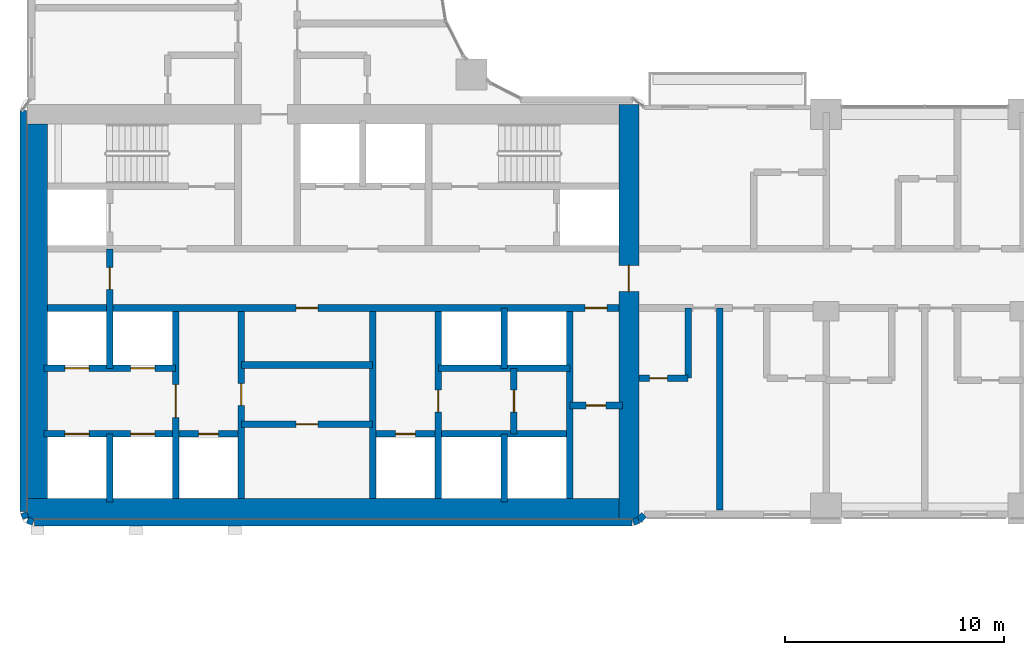
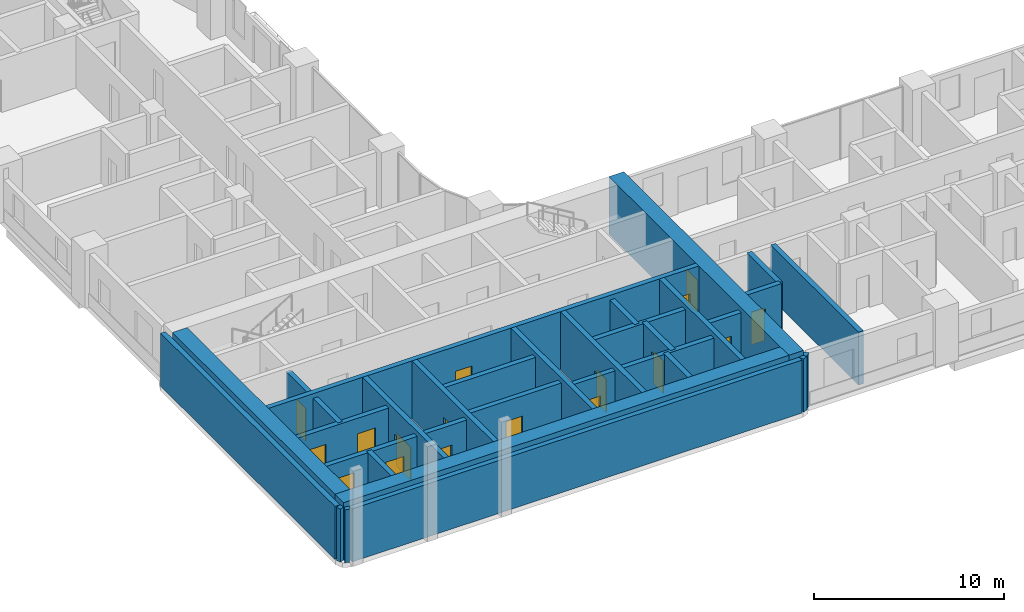
# One storey, part 14 of 30: 30 walls, 17 doors, 17 openings.
"""IFC4 building model written with IfcOpenShell, lengths in metres."""

from ifc_helpers import new_model, si_unit, direction, frame, frame_2d, origin, place, context, subcontext, project, spatial, rectangle, extrude, material, layer, layer_set, type_object, element, fill, save


model = new_model("IFC4")

# Units and contexts
model_context = context("Model", 3, precision=1e-05, world=origin(), true_north=direction((0.0, 1.0)))
body_context = subcontext(model_context, "Body", "Model", "MODEL_VIEW")
ifc_project = project(units=[si_unit("LENGTHUNIT", "METRE"), si_unit("AREAUNIT", "SQUARE_METRE"), si_unit("VOLUMEUNIT", "CUBIC_METRE"), si_unit("PLANEANGLEUNIT", "RADIAN"), si_unit("MASSUNIT", "GRAM", prefix="KILO")], contexts=[model_context])

# Site, building, storey
site_placement = place(None, origin())
site = spatial("IfcSite", under=ifc_project, at=site_placement, CompositionType="ELEMENT")
building_placement = place(site_placement, origin())
building = spatial("IfcBuilding", under=site, at=building_placement, Name="Ogive Portal Towers", CompositionType="ELEMENT")
storey_placement = place(building_placement, frame((0.0, 0.0, 37.199951171875)))
storey = spatial("IfcBuildingStorey", under=building, at=storey_placement, Name="L07", CompositionType="ELEMENT", Elevation=37.199951171875)

# Wall, opening, door
ifc_material_1 = material(Name="Concrete C60/75", Category="concrete")
ifc_layer_1 = layer(ifc_material_1, 0.300048828125)
ifc_layer_set_1 = layer_set([ifc_layer_1], Name="CORE WALL 300 C60")
wall_type_1 = type_object("IfcWallType", Name="CORE WALL 300 C60", PredefinedType="SHEAR", material=ifc_layer_set_1)
wall_1_placement = place(storey_placement, frame((37.800048828125, 21.949951171875, 0.0), z_axis=(0.0, 0.0, 1.0), x_axis=(0.0, 1.0, 0.0)))
wall_1 = element("IfcWall", 1, at=wall_1_placement, inside=storey, type_object=wall_type_1, Name="Core wall X1 L07", PredefinedType="SHEAR", context=body_context, shape_type="SweptSolid", body=[
    extrude(rectangle(XDim=8.550048828125, YDim=0.300048828125, at=frame_2d((4.27490234375, 0.0))), origin(), (0.0, 0.0, 1.0), 3.699951171875),
])
opening_1_placement = place(wall_1_placement, frame((3.699951171875, 0.0, 0.0)))
opening_1 = element("IfcOpeningElement", 2, at=opening_1_placement, cuts=wall_1, Name="Opening D01-001", PredefinedType="OPENING", context=body_context, shape_type="SweptSolid", body=[
    extrude(rectangle(XDim=1.5, YDim=2.10009765625, at=frame_2d((0.75, 1.050048828125))), frame((0.0, 0.16015625, 0.0), z_axis=(0.0, -1.0, 0.0), x_axis=(1.0, 0.0, 0.0)), (0.0, 0.0, 1.0), 0.320068359375),
])
ifc_material_2 = material(Name="Steel fire door", Category="steel")
door_type_1 = type_object("IfcDoorType", Name="DT-SWING-1500x2100-FD90S", OperationType="SINGLE_SWING_LEFT", PredefinedType="DOOR", material=ifc_material_2)
door_1_placement = place(opening_1_placement, origin())
door_1 = element("IfcDoor", 3, at=door_1_placement, inside=storey, type_object=door_type_1, Name="Door D01-001", OperationType="SINGLE_SWING_LEFT", OverallHeight=2.10009765625, OverallWidth=1.5, PredefinedType="DOOR", context=body_context, shape_type="SweptSolid", body=[
    extrude(rectangle(XDim=1.5, YDim=2.10009765625, at=frame_2d((0.75, 1.050048828125))), frame((0.0, 0.02490234375, 0.0), z_axis=(0.0, -1.0, 0.0), x_axis=(1.0, 0.0, 0.0)), (0.0, 0.0, 1.0), 0.050048828125),
])
fill(opening_1, door_1)

wall_2_placement = place(storey_placement, frame((40.800048828125, 21.949951171875, 0.0), z_axis=(0.0, 0.0, 1.0), x_axis=(0.0, 1.0, 0.0)))
wall_2 = element("IfcWall", 4, at=wall_2_placement, inside=storey, type_object=wall_type_1, Name="Core wall X2 L07", PredefinedType="SHEAR", context=body_context, shape_type="SweptSolid", body=[
    extrude(rectangle(XDim=8.550048828125, YDim=0.300048828125, at=frame_2d((4.27490234375, 0.0))), origin(), (0.0, 0.0, 1.0), 3.699951171875),
])
opening_2_placement = place(wall_2_placement, frame((4.25, 0.0, 0.0)))
opening_2 = element("IfcOpeningElement", 5, at=opening_2_placement, cuts=wall_2, Name="Opening D01-022", PredefinedType="OPENING", context=body_context, shape_type="SweptSolid", body=[
    extrude(rectangle(XDim=1.0, YDim=2.10009765625, at=frame_2d((0.5, 1.050048828125))), frame((0.0, 0.16015625, 0.0), z_axis=(0.0, -1.0, 0.0), x_axis=(1.0, 0.0, 0.0)), (0.0, 0.0, 1.0), 0.320068359375),
])
door_type_2 = type_object("IfcDoorType", Name="DT-SWING-1000x2100-FD90S", OperationType="SINGLE_SWING_LEFT", PredefinedType="DOOR", material=ifc_material_2)
door_2_placement = place(opening_2_placement, origin())
door_2 = element("IfcDoor", 6, at=door_2_placement, inside=storey, type_object=door_type_2, Name="Door D01-022", OperationType="SINGLE_SWING_RIGHT", OverallHeight=2.10009765625, OverallWidth=1.0, PredefinedType="DOOR", context=body_context, shape_type="SweptSolid", body=[
    extrude(rectangle(XDim=1.0, YDim=2.10009765625, at=frame_2d((0.5, 1.050048828125))), frame((0.0, 0.02490234375, 0.0), z_axis=(0.0, -1.0, 0.0), x_axis=(1.0, 0.0, 0.0)), (0.0, 0.0, 1.0), 0.050048828125),
])
fill(opening_2, door_2)

# Wall
wall_3_placement = place(storey_placement, frame((46.800048828125, 21.949951171875, 0.0), z_axis=(0.0, 0.0, 1.0), x_axis=(0.0, 1.0, 0.0)))
element("IfcWall", 7, at=wall_3_placement, inside=storey, type_object=wall_type_1, Name="Core wall X3 L07", PredefinedType="SHEAR", context=body_context, shape_type="SweptSolid", body=[
    extrude(rectangle(XDim=8.550048828125, YDim=0.300048828125, at=frame_2d((4.27490234375, 0.0))), origin(), (0.0, 0.0, 1.0), 3.699951171875),
])

# Wall, opening, door
wall_4_placement = place(storey_placement, frame((49.800048828125, 21.949951171875, 0.0), z_axis=(0.0, 0.0, 1.0), x_axis=(0.0, 1.0, 0.0)))
wall_4 = element("IfcWall", 8, at=wall_4_placement, inside=storey, type_object=wall_type_1, Name="Core wall X4 L07", PredefinedType="SHEAR", context=body_context, shape_type="SweptSolid", body=[
    extrude(rectangle(XDim=8.550048828125, YDim=0.300048828125, at=frame_2d((4.27490234375, 0.0))), origin(), (0.0, 0.0, 1.0), 3.699951171875),
])
opening_3_placement = place(wall_4_placement, frame((3.949951171875, 0.0, 0.0)))
opening_3 = element("IfcOpeningElement", 9, at=opening_3_placement, cuts=wall_4, Name="Opening D01-024", PredefinedType="OPENING", context=body_context, shape_type="SweptSolid", body=[
    extrude(rectangle(XDim=1.0, YDim=2.10009765625, at=frame_2d((0.5, 1.050048828125))), frame((0.0, 0.16015625, 0.0), z_axis=(0.0, -1.0, 0.0), x_axis=(1.0, 0.0, 0.0)), (0.0, 0.0, 1.0), 0.320068359375),
])
door_3_placement = place(opening_3_placement, origin())
door_3 = element("IfcDoor", 10, at=door_3_placement, inside=storey, type_object=door_type_2, Name="Door D01-024", OperationType="SINGLE_SWING_RIGHT", OverallHeight=2.10009765625, OverallWidth=1.0, PredefinedType="DOOR", context=body_context, shape_type="SweptSolid", body=[
    extrude(rectangle(XDim=1.0, YDim=2.10009765625, at=frame_2d((0.5, 1.050048828125))), frame((0.0, 0.02490234375, 0.0), z_axis=(0.0, -1.0, 0.0), x_axis=(1.0, 0.0, 0.0)), (0.0, 0.0, 1.0), 0.050048828125),
])
fill(opening_3, door_3)

# Wall
wall_5_placement = place(storey_placement, frame((55.800048828125, 21.949951171875, 0.0), z_axis=(0.0, 0.0, 1.0), x_axis=(0.0, 1.0, 0.0)))
element("IfcWall", 11, at=wall_5_placement, inside=storey, type_object=wall_type_1, Name="Core wall X5 L07", PredefinedType="SHEAR", context=body_context, shape_type="SweptSolid", body=[
    extrude(rectangle(XDim=8.550048828125, YDim=0.300048828125, at=frame_2d((4.27490234375, 0.0))), origin(), (0.0, 0.0, 1.0), 3.699951171875),
])

# Wall, openings, doors
wall_6_placement = place(storey_placement, frame((31.949951171875, 30.64990234375, 0.0), z_axis=(0.0, 0.0, 1.0), x_axis=(1.0, 0.0, 0.0)))
wall_6 = element("IfcWall", 12, at=wall_6_placement, inside=storey, type_object=wall_type_1, Name="Core wall Y1 L07", PredefinedType="SHEAR", context=body_context, shape_type="SweptSolid", body=[
    extrude(rectangle(XDim=26.10009765625, YDim=0.300048828125, at=frame_2d((13.050048828125, 0.0))), origin(), (0.0, 0.0, 1.0), 3.699951171875),
])
opening_4_placement = place(wall_6_placement, frame((24.550048828125, 0.0, 0.0)))
opening_4 = element("IfcOpeningElement", 13, at=opening_4_placement, cuts=wall_6, Name="Opening D01-009", PredefinedType="OPENING", context=body_context, shape_type="SweptSolid", body=[
    extrude(rectangle(XDim=1.0, YDim=2.10009765625, at=frame_2d((0.5, 1.050048828125))), frame((0.0, 0.16015625, 0.0), z_axis=(0.0, -1.0, 0.0), x_axis=(1.0, 0.0, 0.0)), (0.0, 0.0, 1.0), 0.320068359375),
])
opening_5_placement = place(wall_6_placement, frame((11.35009765625, 0.0, 0.0)))
opening_5 = element("IfcOpeningElement", 14, at=opening_5_placement, cuts=wall_6, Name="Opening D01-021", PredefinedType="OPENING", context=body_context, shape_type="SweptSolid", body=[
    extrude(rectangle(XDim=1.0, YDim=2.10009765625, at=frame_2d((0.5, 1.050048828125))), frame((0.0, 0.16015625, 0.0), z_axis=(0.0, -1.0, 0.0), x_axis=(1.0, 0.0, 0.0)), (0.0, 0.0, 1.0), 0.320068359375),
])
door_4_placement = place(opening_4_placement, origin())
door_4 = element("IfcDoor", 15, at=door_4_placement, inside=storey, type_object=door_type_2, Name="Door D01-009", OperationType="SINGLE_SWING_LEFT", OverallHeight=2.10009765625, OverallWidth=1.0, PredefinedType="DOOR", context=body_context, shape_type="SweptSolid", body=[
    extrude(rectangle(XDim=1.0, YDim=2.10009765625, at=frame_2d((0.5, 1.050048828125))), frame((0.0, 0.02490234375, 0.0), z_axis=(0.0, -1.0, 0.0), x_axis=(1.0, 0.0, 0.0)), (0.0, 0.0, 1.0), 0.050048828125),
])
fill(opening_4, door_4)
door_5_placement = place(opening_5_placement, origin())
door_5 = element("IfcDoor", 16, at=door_5_placement, inside=storey, type_object=door_type_2, Name="Door D01-021", OperationType="SINGLE_SWING_LEFT", OverallHeight=2.10009765625, OverallWidth=1.0, PredefinedType="DOOR", context=body_context, shape_type="SweptSolid", body=[
    extrude(rectangle(XDim=1.0, YDim=2.10009765625, at=frame_2d((0.5, 1.050048828125))), frame((0.0, 0.02490234375, 0.0), z_axis=(0.0, -1.0, 0.0), x_axis=(1.0, 0.0, 0.0)), (0.0, 0.0, 1.0), 0.050048828125),
])
fill(opening_5, door_5)

# Walls
ifc_layer_2 = layer(ifc_material_1, 0.89990234375)
ifc_layer_set_2 = layer_set([ifc_layer_2], Name="CORE WALL 900 C60")
wall_type_2 = type_object("IfcWallType", Name="CORE WALL 900 C60", PredefinedType="SHEAR", material=ifc_layer_set_2)
wall_7_placement = place(storey_placement, frame((31.5, 21.949951171875, 0.0), z_axis=(0.0, 0.0, 1.0), x_axis=(0.0, 1.0, 0.0)))
element("IfcWall", 17, at=wall_7_placement, inside=storey, type_object=wall_type_2, Name="Core wall W L07", PredefinedType="SHEAR", context=body_context, shape_type="SweptSolid", body=[
    extrude(rectangle(XDim=17.10009765625, YDim=0.89990234375, at=frame_2d((8.550048828125, 0.0))), origin(), (0.0, 0.0, 1.0), 3.699951171875),
])
wall_8_placement = place(storey_placement, frame((31.050048828125, 21.5, 0.0), z_axis=(0.0, 0.0, 1.0), x_axis=(1.0, 0.0, 0.0)))
element("IfcWall", 18, at=wall_8_placement, inside=storey, type_object=wall_type_2, Name="Core wall S L07", PredefinedType="SHEAR", context=body_context, shape_type="SweptSolid", body=[
    extrude(rectangle(XDim=27.0, YDim=0.89990234375, at=frame_2d((13.5, 0.0))), origin(), (0.0, 0.0, 1.0), 3.699951171875),
])

# Wall, opening, door
wall_9_placement = place(storey_placement, frame((58.5, 21.050048828125, 0.0), z_axis=(0.0, 0.0, 1.0), x_axis=(0.0, 1.0, 0.0)))
wall_9 = element("IfcWall", 19, at=wall_9_placement, inside=storey, type_object=wall_type_2, Name="Core wall E L07", PredefinedType="SHEAR", context=body_context, shape_type="SweptSolid", body=[
    extrude(rectangle(XDim=18.89990234375, YDim=0.89990234375, at=frame_2d((9.449951171875, 0.0))), origin(), (0.0, 0.0, 1.0), 3.699951171875),
])
opening_6_placement = place(wall_9_placement, frame((10.35009765625, 0.0, 0.0)))
opening_6 = element("IfcOpeningElement", 20, at=opening_6_placement, cuts=wall_9, Name="Opening D01-011", PredefinedType="OPENING", context=body_context, shape_type="SweptSolid", body=[
    extrude(rectangle(XDim=1.199951171875, YDim=2.10009765625, at=frame_2d((0.60009765625, 1.050048828125))), frame((0.0, 0.4599609375, 0.0), z_axis=(0.0, -1.0, 0.0), x_axis=(1.0, 0.0, 0.0)), (0.0, 0.0, 1.0), 0.919921875),
])
door_type_3 = type_object("IfcDoorType", Name="DT-SWING-1200x2100-FD90S", OperationType="SINGLE_SWING_LEFT", PredefinedType="DOOR", material=ifc_material_2)
door_6_placement = place(opening_6_placement, origin())
door_6 = element("IfcDoor", 21, at=door_6_placement, inside=storey, type_object=door_type_3, Name="Door D01-011", OperationType="SINGLE_SWING_LEFT", OverallHeight=2.10009765625, OverallWidth=1.199951171875, PredefinedType="DOOR", context=body_context, shape_type="SweptSolid", body=[
    extrude(rectangle(XDim=1.199951171875, YDim=2.10009765625, at=frame_2d((0.60009765625, 1.050048828125))), frame((0.0, 0.02490234375, 0.0), z_axis=(0.0, -1.0, 0.0), x_axis=(1.0, 0.0, 0.0)), (0.0, 0.0, 1.0), 0.050048828125),
])
fill(opening_6, door_6)

# Walls
ifc_material_3 = material(Name="Limestone cladding on lightweight block wall", Category="masonry")
ifc_layer_3 = layer(ifc_material_3, 0.300048828125)
ifc_layer_set_3 = layer_set([ifc_layer_3], Name="EXTERNAL WALL 300 STONE")
wall_type_3 = type_object("IfcWallType", Name="EXTERNAL WALL 300 STONE", PredefinedType="SOLIDWALL", material=ifc_layer_set_3)
wall_10_placement = place(storey_placement, frame((30.85009765625, 39.673583984375, 0.0), z_axis=(0.0, 0.0, 1.0), x_axis=(0.0, -1.0, 0.0)))
element("IfcWall", 22, at=wall_10_placement, inside=storey, type_object=wall_type_3, Name="A:L07:f15:r0:wall", PredefinedType="SOLIDWALL", context=body_context, shape_type="SweptSolid", body=[
    extrude(rectangle(XDim=18.31396484375, YDim=0.300048828125, at=frame_2d((9.156982421875, 0.0))), origin(), (0.0, 0.0, 1.0), 3.400146484375),
])
for number, where, z_axis, x_axis, name in (
    (23, (30.861328125, 21.30224609375, 0.0), (0.0, 0.0, 1.0), (0.38297812142, -0.923757413239, 0.0), "A:L07:f16:r0:wall"),
    (24, (31.0478515625, 20.966796875, 0.0), (0.0, 0.0, 1.0), (0.923757413239, -0.38297812142, 0.0), "A:L07:f17:r0:wall"),
):
    element("IfcWall", number, at=place(storey_placement, frame(where, z_axis=z_axis, x_axis=x_axis)), inside=storey, type_object=wall_type_3, Name=name, PredefinedType="SOLIDWALL", context=body_context, shape_type="SweptSolid", body=[
        extrude(rectangle(XDim=0.275390625, YDim=0.300048828125, at=frame_2d((0.1376953125, 0.0))), origin(), (0.0, 0.0, 1.0), 3.400146484375),
    ])
wall_11_placement = place(storey_placement, frame((31.359619140625, 20.85009765625, 0.0), z_axis=(0.0, 0.0, 1.0), x_axis=(1.0, 0.0, 0.0)))
element("IfcWall", 25, at=wall_11_placement, inside=storey, type_object=wall_type_3, Name="A:L07:f18:r0:wall", PredefinedType="SOLIDWALL", context=body_context, shape_type="SweptSolid", body=[
    extrude(rectangle(XDim=27.28076171875, YDim=0.300048828125, at=frame_2d((13.640380859375, 0.0))), origin(), (0.0, 0.0, 1.0), 3.400146484375),
])
wall_12_placement = place(storey_placement, frame((58.69775390625, 20.861328125, 0.0), z_axis=(0.0, 0.0, 1.0), x_axis=(0.923757413239, 0.38297812142, 0.0)))
element("IfcWall", 26, at=wall_12_placement, inside=storey, type_object=wall_type_3, Name="A:L07:f19:r0:wall", PredefinedType="SOLIDWALL", context=body_context, shape_type="SweptSolid", body=[
    extrude(rectangle(XDim=0.275390625, YDim=0.300048828125, at=frame_2d((0.1376953125, 0.0))), origin(), (0.0, 0.0, 1.0), 3.400146484375),
])
wall_13_placement = place(storey_placement, frame((58.9521484375, 20.966796875, 0.0), z_axis=(0.0, 0.0, 1.0), x_axis=(0.702144810536, 0.712034174065, 0.0)))
element("IfcWall", 27, at=wall_13_placement, inside=storey, type_object=wall_type_3, Name="A:L07:f20:r0:wall", PredefinedType="SOLIDWALL", context=body_context, shape_type="SweptSolid", body=[
    extrude(rectangle(XDim=0.345703125, YDim=0.300048828125, at=frame_2d((0.1728515625, 0.0))), origin(), (0.0, 0.0, 1.0), 3.400146484375),
])

# Wall, opening, door
ifc_material_4 = material(Name="Gypsum board partition on steel studs", Category="steel")
ifc_layer_4 = layer(ifc_material_4, 0.300048828125)
ifc_layer_set_4 = layer_set([ifc_layer_4], Name="WT-PART-300")
wall_type_4 = type_object("IfcWallType", Name="WT-PART-300", PredefinedType="PARTITIONING", material=ifc_layer_set_4)
wall_14_placement = place(storey_placement, frame((40.800048828125, 25.35009765625, 0.0), z_axis=(0.0, 0.0, 1.0), x_axis=(1.0, 0.0, 0.0)))
wall_14 = element("IfcWall", 28, at=wall_14_placement, inside=storey, type_object=wall_type_4, Name="Wall pw:003:L07", PredefinedType="PARTITIONING", context=body_context, shape_type="SweptSolid", body=[
    extrude(rectangle(XDim=6.0, YDim=0.300048828125, at=frame_2d((3.0, 0.0))), origin(), (0.0, 0.0, 1.0), 3.400146484375),
])
opening_7_placement = place(wall_14_placement, frame((2.5, 0.0, 0.0)))
opening_7 = element("IfcOpeningElement", 29, at=opening_7_placement, cuts=wall_14, Name="Opening D01-023", PredefinedType="OPENING", context=body_context, shape_type="SweptSolid", body=[
    extrude(rectangle(XDim=1.0, YDim=2.10009765625, at=frame_2d((0.5, 1.050048828125))), frame((0.0, 0.16015625, 0.0), z_axis=(0.0, -1.0, 0.0), x_axis=(1.0, 0.0, 0.0)), (0.0, 0.0, 1.0), 0.320068359375),
])
door_type_4 = type_object("IfcDoorType", Name="DT-SWING-1000x2100-FD60S", OperationType="SINGLE_SWING_LEFT", PredefinedType="DOOR", material=ifc_material_2)
door_7_placement = place(opening_7_placement, origin())
door_7 = element("IfcDoor", 30, at=door_7_placement, inside=storey, type_object=door_type_4, Name="Door D01-023", OperationType="SINGLE_SWING_RIGHT", OverallHeight=2.10009765625, OverallWidth=1.0, PredefinedType="DOOR", context=body_context, shape_type="SweptSolid", body=[
    extrude(rectangle(XDim=1.0, YDim=2.10009765625, at=frame_2d((0.5, 1.050048828125))), frame((0.0, 0.02490234375, 0.0), z_axis=(0.0, -1.0, 0.0), x_axis=(1.0, 0.0, 0.0)), (0.0, 0.0, 1.0), 0.050048828125),
])
fill(opening_7, door_7)

wall_15_placement = place(storey_placement, frame((55.800048828125, 26.199951171875, 0.0), z_axis=(0.0, 0.0, 1.0), x_axis=(1.0, 0.0, 0.0)))
wall_15 = element("IfcWall", 31, at=wall_15_placement, inside=storey, type_object=wall_type_4, Name="Wall pw:004:L07", PredefinedType="PARTITIONING", context=body_context, shape_type="SweptSolid", body=[
    extrude(rectangle(XDim=2.39990234375, YDim=0.300048828125, at=frame_2d((1.199951171875, 0.0))), origin(), (0.0, 0.0, 1.0), 3.400146484375),
])
opening_8_placement = place(wall_15_placement, frame((0.75, 0.0, 0.0)))
opening_8 = element("IfcOpeningElement", 32, at=opening_8_placement, cuts=wall_15, Name="Opening D01-010", PredefinedType="OPENING", context=body_context, shape_type="SweptSolid", body=[
    extrude(rectangle(XDim=0.89990234375, YDim=2.10009765625, at=frame_2d((0.449951171875, 1.050048828125))), frame((0.0, 0.16015625, 0.0), z_axis=(0.0, -1.0, 0.0), x_axis=(1.0, 0.0, 0.0)), (0.0, 0.0, 1.0), 0.320068359375),
])
door_type_5 = type_object("IfcDoorType", Name="DT-SWING-900x2100-FD60S", OperationType="SINGLE_SWING_LEFT", PredefinedType="DOOR", material=ifc_material_2)
door_8_placement = place(opening_8_placement, origin())
door_8 = element("IfcDoor", 33, at=door_8_placement, inside=storey, type_object=door_type_5, Name="Door D01-010", OperationType="SINGLE_SWING_RIGHT", OverallHeight=2.10009765625, OverallWidth=0.89990234375, PredefinedType="DOOR", context=body_context, shape_type="SweptSolid", body=[
    extrude(rectangle(XDim=0.89990234375, YDim=2.10009765625, at=frame_2d((0.449951171875, 1.050048828125))), frame((0.0, 0.02490234375, 0.0), z_axis=(0.0, -1.0, 0.0), x_axis=(1.0, 0.0, 0.0)), (0.0, 0.0, 1.0), 0.050048828125),
])
fill(opening_8, door_8)

# Wall
wall_16_placement = place(storey_placement, frame((40.800048828125, 28.050048828125, 0.0), z_axis=(0.0, 0.0, 1.0), x_axis=(1.0, 0.0, 0.0)))
element("IfcWall", 34, at=wall_16_placement, inside=storey, type_object=wall_type_4, Name="Wall pw:007:L07", PredefinedType="PARTITIONING", context=body_context, shape_type="SweptSolid", body=[
    extrude(rectangle(XDim=6.0, YDim=0.300048828125, at=frame_2d((3.0, 0.0))), origin(), (0.0, 0.0, 1.0), 3.400146484375),
])

# Wall, opening, door
ifc_layer_5 = layer(ifc_material_4, 0.300048828125)
ifc_layer_set_5 = layer_set([ifc_layer_5], Name="WT-PART-300-EI 60")
wall_type_5 = type_object("IfcWallType", Name="WT-PART-300-EI 60", PredefinedType="PARTITIONING", material=ifc_layer_set_5)
wall_17_placement = place(storey_placement, frame((58.949951171875, 27.449951171875, 0.0), z_axis=(0.0, 0.0, 1.0), x_axis=(1.0, 0.0, 0.0)))
wall_17 = element("IfcWall", 35, at=wall_17_placement, inside=storey, type_object=wall_type_5, Name="Wall L07:w004", PredefinedType="PARTITIONING", context=body_context, shape_type="SweptSolid", body=[
    extrude(rectangle(XDim=2.25, YDim=0.300048828125, at=frame_2d((1.125, 0.0))), origin(), (0.0, 0.0, 1.0), 3.400146484375),
])
opening_9_placement = place(wall_17_placement, frame((0.5, 0.0, 0.0)))
opening_9 = element("IfcOpeningElement", 36, at=opening_9_placement, cuts=wall_17, Name="Opening D01-029", PredefinedType="OPENING", context=body_context, shape_type="SweptSolid", body=[
    extrude(rectangle(XDim=0.800048828125, YDim=2.10009765625, at=frame_2d((0.39990234375, 1.050048828125))), frame((0.0, 0.16015625, 0.0), z_axis=(0.0, -1.0, 0.0), x_axis=(1.0, 0.0, 0.0)), (0.0, 0.0, 1.0), 0.320068359375),
])
door_type_6 = type_object("IfcDoorType", Name="DT-BATH-800x2100-FD60S", OperationType="SINGLE_SWING_LEFT", PredefinedType="DOOR", material=ifc_material_2)
door_9_placement = place(opening_9_placement, origin())
door_9 = element("IfcDoor", 37, at=door_9_placement, inside=storey, type_object=door_type_6, Name="Door D01-029", OperationType="SINGLE_SWING_LEFT", OverallHeight=2.10009765625, OverallWidth=0.800048828125, PredefinedType="DOOR", context=body_context, shape_type="SweptSolid", body=[
    extrude(rectangle(XDim=0.800048828125, YDim=2.10009765625, at=frame_2d((0.39990234375, 1.050048828125))), frame((0.0, 0.02490234375, 0.0), z_axis=(0.0, -1.0, 0.0), x_axis=(1.0, 0.0, 0.0)), (0.0, 0.0, 1.0), 0.050048828125),
])
fill(opening_9, door_9)

# Walls
wall_18_placement = place(storey_placement, frame((61.199951171875, 27.449951171875, 0.0), z_axis=(0.0, 0.0, 1.0), x_axis=(0.0, 1.0, 0.0)))
element("IfcWall", 38, at=wall_18_placement, inside=storey, type_object=wall_type_5, Name="Wall L07:w048", PredefinedType="PARTITIONING", context=body_context, shape_type="SweptSolid", body=[
    extrude(rectangle(XDim=3.199951171875, YDim=0.300048828125, at=frame_2d((1.60009765625, 0.0))), origin(), (0.0, 0.0, 1.0), 3.400146484375),
])
wall_19_placement = place(storey_placement, frame((62.639892578125, 21.425048828125, 0.0), z_axis=(0.0, 0.0, 1.0), x_axis=(0.0, 1.0, 0.0)))
element("IfcWall", 39, at=wall_19_placement, inside=storey, type_object=wall_type_5, Name="Wall L07:w049", PredefinedType="PARTITIONING", context=body_context, shape_type="SweptSolid", body=[
    extrude(rectangle(XDim=9.224853515625, YDim=0.300048828125, at=frame_2d((4.6123046875, 0.0))), origin(), (0.0, 0.0, 1.0), 3.400146484375),
])

# Wall, openings, doors
ifc_material_5 = material(Name="Concrete C40/50", Category="concrete")
ifc_layer_6 = layer(ifc_material_5, 0.300048828125)
ifc_layer_set_6 = layer_set([ifc_layer_6], Name="WT-SHAFT-300")
wall_type_6 = type_object("IfcWallType", Name="WT-SHAFT-300", PredefinedType="SOLIDWALL", material=ifc_layer_set_6)
wall_20_placement = place(storey_placement, frame((31.800048828125, 24.89990234375, 0.0), z_axis=(0.0, 0.0, 1.0), x_axis=(1.0, 0.0, 0.0)))
wall_20 = element("IfcWall", 40, at=wall_20_placement, inside=storey, type_object=wall_type_6, Name="Wall pw:001:L07", PredefinedType="SOLIDWALL", context=body_context, shape_type="SweptSolid", body=[
    extrude(rectangle(XDim=9.0, YDim=0.300048828125, at=frame_2d((4.5, 0.0))), origin(), (0.0, 0.0, 1.0), 3.400146484375),
])
opening_10_placement = place(wall_20_placement, frame((7.050048828125, 0.0, 0.0)))
opening_10 = element("IfcOpeningElement", 41, at=opening_10_placement, cuts=wall_20, Name="Opening D01-007", PredefinedType="OPENING", context=body_context, shape_type="SweptSolid", body=[
    extrude(rectangle(XDim=0.89990234375, YDim=2.10009765625, at=frame_2d((0.449951171875, 1.050048828125))), frame((0.0, 0.16015625, 0.0), z_axis=(0.0, -1.0, 0.0), x_axis=(1.0, 0.0, 0.0)), (0.0, 0.0, 1.0), 0.320068359375),
])
opening_11_placement = place(wall_20_placement, frame((0.949951171875, 0.0, 0.0)))
opening_11 = element("IfcOpeningElement", 42, at=opening_11_placement, cuts=wall_20, Name="Opening D01-013", PredefinedType="OPENING", context=body_context, shape_type="SweptSolid", body=[
    extrude(rectangle(XDim=1.10009765625, YDim=2.39990234375, at=frame_2d((0.550048828125, 1.199951171875))), frame((0.0, 0.16015625, 0.0), z_axis=(0.0, -1.0, 0.0), x_axis=(1.0, 0.0, 0.0)), (0.0, 0.0, 1.0), 0.320068359375),
])
opening_12_placement = place(wall_20_placement, frame((3.949951171875, 0.0, 0.0)))
opening_12 = element("IfcOpeningElement", 43, at=opening_12_placement, cuts=wall_20, Name="Opening D01-014", PredefinedType="OPENING", context=body_context, shape_type="SweptSolid", body=[
    extrude(rectangle(XDim=1.10009765625, YDim=2.39990234375, at=frame_2d((0.550048828125, 1.199951171875))), frame((0.0, 0.16015625, 0.0), z_axis=(0.0, -1.0, 0.0), x_axis=(1.0, 0.0, 0.0)), (0.0, 0.0, 1.0), 0.320068359375),
])
ifc_material_6 = material(Name="Stainless steel", Category="steel")
door_type_7 = type_object("IfcDoorType", Name="DT-LD-1100x2400", OperationType="SLIDING_TO_LEFT", PredefinedType="DOOR", material=ifc_material_6)
door_10_placement = place(opening_11_placement, origin())
door_10 = element("IfcDoor", 44, at=door_10_placement, inside=storey, type_object=door_type_7, Name="Door D01-013", OperationType="SLIDING_TO_LEFT", OverallHeight=2.39990234375, OverallWidth=1.10009765625, PredefinedType="DOOR", context=body_context, shape_type="SweptSolid", body=[
    extrude(rectangle(XDim=1.10009765625, YDim=2.39990234375, at=frame_2d((0.550048828125, 1.199951171875))), frame((0.0, 0.02490234375, 0.0), z_axis=(0.0, -1.0, 0.0), x_axis=(1.0, 0.0, 0.0)), (0.0, 0.0, 1.0), 0.050048828125),
])
fill(opening_11, door_10)
door_11_placement = place(opening_12_placement, origin())
door_11 = element("IfcDoor", 45, at=door_11_placement, inside=storey, type_object=door_type_7, Name="Door D01-014", OperationType="SLIDING_TO_LEFT", OverallHeight=2.39990234375, OverallWidth=1.10009765625, PredefinedType="DOOR", context=body_context, shape_type="SweptSolid", body=[
    extrude(rectangle(XDim=1.10009765625, YDim=2.39990234375, at=frame_2d((0.550048828125, 1.199951171875))), frame((0.0, 0.02490234375, 0.0), z_axis=(0.0, -1.0, 0.0), x_axis=(1.0, 0.0, 0.0)), (0.0, 0.0, 1.0), 0.050048828125),
])
fill(opening_12, door_11)
door_type_8 = type_object("IfcDoorType", Name="DT-SWING-900x2100-FD90S", OperationType="SINGLE_SWING_LEFT", PredefinedType="DOOR", material=ifc_material_2)
door_12_placement = place(opening_10_placement, origin())
door_12 = element("IfcDoor", 46, at=door_12_placement, inside=storey, type_object=door_type_8, Name="Riser access door D01-007", OperationType="SINGLE_SWING_LEFT", OverallHeight=2.10009765625, OverallWidth=0.89990234375, PredefinedType="DOOR", context=body_context, shape_type="SweptSolid", body=[
    extrude(rectangle(XDim=0.89990234375, YDim=2.10009765625, at=frame_2d((0.449951171875, 1.050048828125))), frame((0.0, 0.02490234375, 0.0), z_axis=(0.0, -1.0, 0.0), x_axis=(1.0, 0.0, 0.0)), (0.0, 0.0, 1.0), 0.050048828125),
])
fill(opening_10, door_12)

# Wall, opening, door
wall_21_placement = place(storey_placement, frame((46.800048828125, 24.89990234375, 0.0), z_axis=(0.0, 0.0, 1.0), x_axis=(1.0, 0.0, 0.0)))
wall_21 = element("IfcWall", 47, at=wall_21_placement, inside=storey, type_object=wall_type_6, Name="Wall pw:002:L07", PredefinedType="SOLIDWALL", context=body_context, shape_type="SweptSolid", body=[
    extrude(rectangle(XDim=9.0, YDim=0.300048828125, at=frame_2d((4.5, 0.0))), origin(), (0.0, 0.0, 1.0), 3.400146484375),
])
opening_13_placement = place(wall_21_placement, frame((1.050048828125, 0.0, 0.0)))
opening_13 = element("IfcOpeningElement", 48, at=opening_13_placement, cuts=wall_21, Name="Opening D01-008", PredefinedType="OPENING", context=body_context, shape_type="SweptSolid", body=[
    extrude(rectangle(XDim=0.89990234375, YDim=2.10009765625, at=frame_2d((0.449951171875, 1.050048828125))), frame((0.0, 0.16015625, 0.0), z_axis=(0.0, -1.0, 0.0), x_axis=(1.0, 0.0, 0.0)), (0.0, 0.0, 1.0), 0.320068359375),
])
door_13_placement = place(opening_13_placement, origin())
door_13 = element("IfcDoor", 49, at=door_13_placement, inside=storey, type_object=door_type_8, Name="Riser access door D01-008", OperationType="SINGLE_SWING_RIGHT", OverallHeight=2.10009765625, OverallWidth=0.89990234375, PredefinedType="DOOR", context=body_context, shape_type="SweptSolid", body=[
    extrude(rectangle(XDim=0.89990234375, YDim=2.10009765625, at=frame_2d((0.449951171875, 1.050048828125))), frame((0.0, 0.02490234375, 0.0), z_axis=(0.0, -1.0, 0.0), x_axis=(1.0, 0.0, 0.0)), (0.0, 0.0, 1.0), 0.050048828125),
])
fill(opening_13, door_13)

# Wall, openings, doors
wall_22_placement = place(storey_placement, frame((31.800048828125, 27.89990234375, 0.0), z_axis=(0.0, 0.0, 1.0), x_axis=(1.0, 0.0, 0.0)))
wall_22 = element("IfcWall", 50, at=wall_22_placement, inside=storey, type_object=wall_type_6, Name="Wall pw:005:L07", PredefinedType="SOLIDWALL", context=body_context, shape_type="SweptSolid", body=[
    extrude(rectangle(XDim=6.0, YDim=0.300048828125, at=frame_2d((3.0, 0.0))), origin(), (0.0, 0.0, 1.0), 3.400146484375),
])
opening_14_placement = place(wall_22_placement, frame((0.949951171875, 0.0, 0.0)))
opening_14 = element("IfcOpeningElement", 51, at=opening_14_placement, cuts=wall_22, Name="Opening D01-015", PredefinedType="OPENING", context=body_context, shape_type="SweptSolid", body=[
    extrude(rectangle(XDim=1.10009765625, YDim=2.39990234375, at=frame_2d((0.550048828125, 1.199951171875))), frame((0.0, 0.16015625, 0.0), z_axis=(0.0, -1.0, 0.0), x_axis=(1.0, 0.0, 0.0)), (0.0, 0.0, 1.0), 0.320068359375),
])
opening_15_placement = place(wall_22_placement, frame((3.949951171875, 0.0, 0.0)))
opening_15 = element("IfcOpeningElement", 52, at=opening_15_placement, cuts=wall_22, Name="Opening D01-016", PredefinedType="OPENING", context=body_context, shape_type="SweptSolid", body=[
    extrude(rectangle(XDim=1.10009765625, YDim=2.39990234375, at=frame_2d((0.550048828125, 1.199951171875))), frame((0.0, 0.16015625, 0.0), z_axis=(0.0, -1.0, 0.0), x_axis=(1.0, 0.0, 0.0)), (0.0, 0.0, 1.0), 0.320068359375),
])
door_14_placement = place(opening_14_placement, origin())
door_14 = element("IfcDoor", 53, at=door_14_placement, inside=storey, type_object=door_type_7, Name="Door D01-015", OperationType="SLIDING_TO_LEFT", OverallHeight=2.39990234375, OverallWidth=1.10009765625, PredefinedType="DOOR", context=body_context, shape_type="SweptSolid", body=[
    extrude(rectangle(XDim=1.10009765625, YDim=2.39990234375, at=frame_2d((0.550048828125, 1.199951171875))), frame((0.0, 0.02490234375, 0.0), z_axis=(0.0, -1.0, 0.0), x_axis=(1.0, 0.0, 0.0)), (0.0, 0.0, 1.0), 0.050048828125),
])
fill(opening_14, door_14)
door_15_placement = place(opening_15_placement, origin())
door_15 = element("IfcDoor", 54, at=door_15_placement, inside=storey, type_object=door_type_7, Name="Door D01-016", OperationType="SLIDING_TO_LEFT", OverallHeight=2.39990234375, OverallWidth=1.10009765625, PredefinedType="DOOR", context=body_context, shape_type="SweptSolid", body=[
    extrude(rectangle(XDim=1.10009765625, YDim=2.39990234375, at=frame_2d((0.550048828125, 1.199951171875))), frame((0.0, 0.02490234375, 0.0), z_axis=(0.0, -1.0, 0.0), x_axis=(1.0, 0.0, 0.0)), (0.0, 0.0, 1.0), 0.050048828125),
])
fill(opening_15, door_15)

# Walls
wall_23_placement = place(storey_placement, frame((49.800048828125, 27.89990234375, 0.0), z_axis=(0.0, 0.0, 1.0), x_axis=(1.0, 0.0, 0.0)))
element("IfcWall", 55, at=wall_23_placement, inside=storey, type_object=wall_type_6, Name="Wall pw:006:L07", PredefinedType="SOLIDWALL", context=body_context, shape_type="SweptSolid", body=[
    extrude(rectangle(XDim=6.0, YDim=0.300048828125, at=frame_2d((3.0, 0.0))), origin(), (0.0, 0.0, 1.0), 3.400146484375),
])
wall_24_placement = place(storey_placement, frame((34.800048828125, 21.800048828125, 0.0), z_axis=(0.0, 0.0, 1.0), x_axis=(0.0, 1.0, 0.0)))
element("IfcWall", 56, at=wall_24_placement, inside=storey, type_object=wall_type_6, Name="Wall pw:008:L07", PredefinedType="SOLIDWALL", context=body_context, shape_type="SweptSolid", body=[
    extrude(rectangle(XDim=3.099853515625, YDim=0.300048828125, at=frame_2d((1.5498046875, 0.0))), origin(), (0.0, 0.0, 1.0), 3.400146484375),
])

# Wall, opening, door
wall_25_placement = place(storey_placement, frame((34.800048828125, 27.89990234375, 0.0), z_axis=(0.0, 0.0, 1.0), x_axis=(0.0, 1.0, 0.0)))
wall_25 = element("IfcWall", 57, at=wall_25_placement, inside=storey, type_object=wall_type_6, Name="Wall pw:009:L07", PredefinedType="SOLIDWALL", context=body_context, shape_type="SweptSolid", body=[
    extrude(rectangle(XDim=5.4501953125, YDim=0.300048828125, at=frame_2d((2.72509765625, 0.0))), origin(), (0.0, 0.0, 1.0), 3.400146484375),
])
opening_16_placement = place(wall_25_placement, frame((3.60009765625, 0.0, 0.0)))
opening_16 = element("IfcOpeningElement", 58, at=opening_16_placement, cuts=wall_25, Name="Opening D01-026", PredefinedType="OPENING", context=body_context, shape_type="SweptSolid", body=[
    extrude(rectangle(XDim=1.0, YDim=2.10009765625, at=frame_2d((0.5, 1.050048828125))), frame((0.0, 0.16015625, 0.0), z_axis=(0.0, -1.0, 0.0), x_axis=(1.0, 0.0, 0.0)), (0.0, 0.0, 1.0), 0.320068359375),
])
door_16_placement = place(opening_16_placement, origin())
door_16 = element("IfcDoor", 59, at=door_16_placement, inside=storey, type_object=door_type_2, Name="Door D01-026", OperationType="SINGLE_SWING_RIGHT", OverallHeight=2.10009765625, OverallWidth=1.0, PredefinedType="DOOR", context=body_context, shape_type="SweptSolid", body=[
    extrude(rectangle(XDim=1.0, YDim=2.10009765625, at=frame_2d((0.5, 1.050048828125))), frame((0.0, 0.02490234375, 0.0), z_axis=(0.0, -1.0, 0.0), x_axis=(1.0, 0.0, 0.0)), (0.0, 0.0, 1.0), 0.050048828125),
])
fill(opening_16, door_16)

# Walls
wall_26_placement = place(storey_placement, frame((52.800048828125, 21.800048828125, 0.0), z_axis=(0.0, 0.0, 1.0), x_axis=(0.0, 1.0, 0.0)))
element("IfcWall", 60, at=wall_26_placement, inside=storey, type_object=wall_type_6, Name="Wall pw:011:L07", PredefinedType="SOLIDWALL", context=body_context, shape_type="SweptSolid", body=[
    extrude(rectangle(XDim=3.099853515625, YDim=0.300048828125, at=frame_2d((1.5498046875, 0.0))), origin(), (0.0, 0.0, 1.0), 3.400146484375),
])
wall_27_placement = place(storey_placement, frame((52.800048828125, 27.89990234375, 0.0), z_axis=(0.0, 0.0, 1.0), x_axis=(0.0, 1.0, 0.0)))
element("IfcWall", 61, at=wall_27_placement, inside=storey, type_object=wall_type_6, Name="Wall pw:012:L07", PredefinedType="SOLIDWALL", context=body_context, shape_type="SweptSolid", body=[
    extrude(rectangle(XDim=2.75, YDim=0.300048828125, at=frame_2d((1.375, 0.0))), origin(), (0.0, 0.0, 1.0), 3.400146484375),
])

# Wall, opening, door
wall_28_placement = place(storey_placement, frame((53.25, 24.89990234375, 0.0), z_axis=(0.0, 0.0, 1.0), x_axis=(0.0, 1.0, 0.0)))
wall_28 = element("IfcWall", 62, at=wall_28_placement, inside=storey, type_object=wall_type_6, Name="Wall pw:013:L07", PredefinedType="SOLIDWALL", context=body_context, shape_type="SweptSolid", body=[
    extrude(rectangle(XDim=3.0, YDim=0.300048828125, at=frame_2d((1.5, 0.0))), origin(), (0.0, 0.0, 1.0), 3.400146484375),
])
opening_17_placement = place(wall_28_placement, frame((1.0, 0.0, 0.0)))
opening_17 = element("IfcOpeningElement", 63, at=opening_17_placement, cuts=wall_28, Name="Opening D01-025", PredefinedType="OPENING", context=body_context, shape_type="SweptSolid", body=[
    extrude(rectangle(XDim=1.0, YDim=2.10009765625, at=frame_2d((0.5, 1.050048828125))), frame((0.0, 0.16015625, 0.0), z_axis=(0.0, -1.0, 0.0), x_axis=(1.0, 0.0, 0.0)), (0.0, 0.0, 1.0), 0.320068359375),
])
door_17_placement = place(opening_17_placement, origin())
door_17 = element("IfcDoor", 64, at=door_17_placement, inside=storey, type_object=door_type_2, Name="Door D01-025", OperationType="SINGLE_SWING_RIGHT", OverallHeight=2.10009765625, OverallWidth=1.0, PredefinedType="DOOR", context=body_context, shape_type="SweptSolid", body=[
    extrude(rectangle(XDim=1.0, YDim=2.10009765625, at=frame_2d((0.5, 1.050048828125))), frame((0.0, 0.02490234375, 0.0), z_axis=(0.0, -1.0, 0.0), x_axis=(1.0, 0.0, 0.0)), (0.0, 0.0, 1.0), 0.050048828125),
])
fill(opening_17, door_17)

save(model, "model.ifc")
